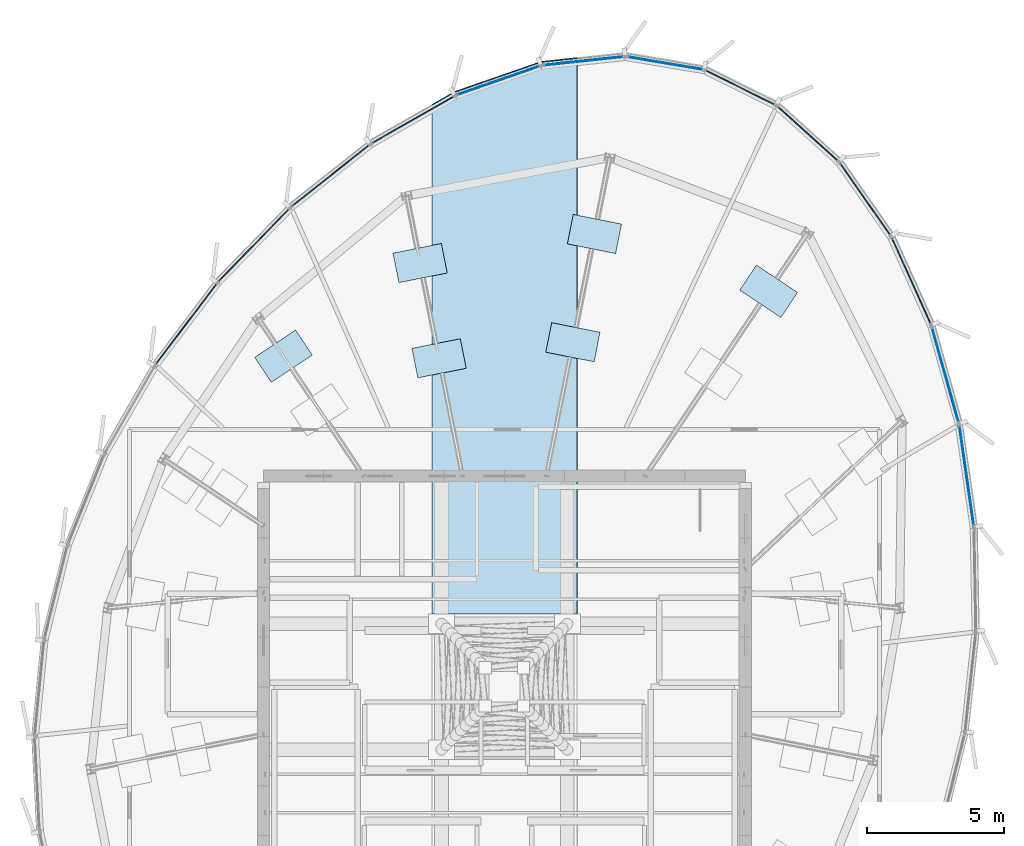
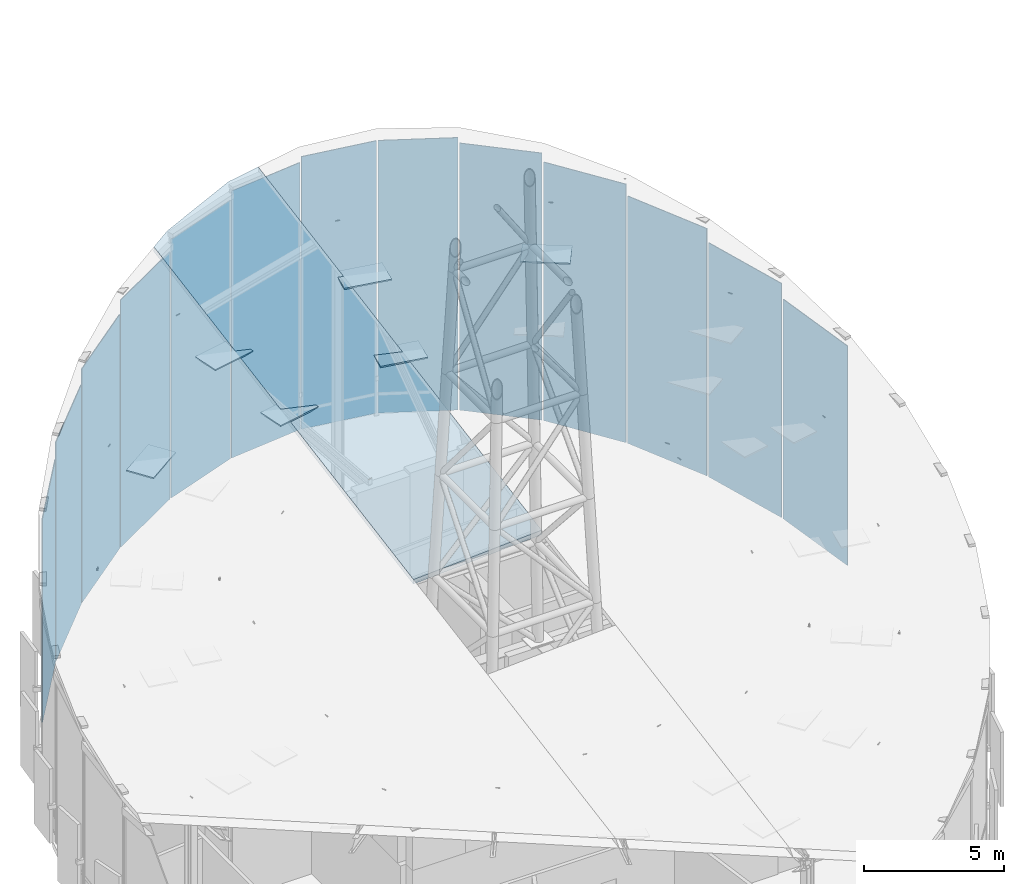
# One storey, part 25 of 36: 19 plates, 1 slab, 13 elements without a shape of their own.
"""IFC4 building model written with IfcOpenShell, lengths in metres."""

from ifc_helpers import new_model, si_unit, direction, frame, origin, origin_2d, place, context, subcontext, project, spatial, polyline, rectangle, outline, extrude, source, transform, mapped, material, layer, layer_set, type_object, element, aggregate, save


model = new_model("IFC4")

# Units and contexts
model_context = context("Model", 3, precision=1e-05, world=origin(), true_north=direction((0.0, 1.0)))
body_context = subcontext(model_context, "Body", "Model", "MODEL_VIEW")
ifc_project = project(units=[si_unit("LENGTHUNIT", "METRE"), si_unit("AREAUNIT", "SQUARE_METRE"), si_unit("VOLUMEUNIT", "CUBIC_METRE"), si_unit("PLANEANGLEUNIT", "RADIAN"), si_unit("MASSUNIT", "GRAM", prefix="KILO"), si_unit("THERMODYNAMICTEMPERATUREUNIT", "KELVIN")], contexts=[model_context])

# Site, building, storey
site_placement = place(None, origin())
site = spatial("IfcSite", under=ifc_project, at=site_placement, CompositionType="ELEMENT")
building_placement = place(site_placement, origin())
building = spatial("IfcBuilding", under=site, at=building_placement, Name="Kethvar Cultural Tower", CompositionType="ELEMENT")
storey_placement = place(building_placement, frame((0.0, 0.0, 324.300048828125)))
storey = spatial("IfcBuildingStorey", under=building, at=storey_placement, Name="L86", CompositionType="ELEMENT", Elevation=324.300048828125)

# Slab
ifc_material_1 = material(Name="Concrete C40/50", Category="concrete")
ifc_layer_1 = layer(ifc_material_1, 0.235107421875, Name="Concrete C40/50", Category="concrete")
ifc_layer_set_1 = layer_set([ifc_layer_1], Name="Concrete C40/50 (235 mm)")
slab_type = type_object("IfcSlabType", Name="SL-ROOF-SLOP", PredefinedType="ROOF", material=ifc_layer_set_1)
slab_placement = place(storey_placement, frame((44.970947265625, 49.513916015625, 11.765869140625), z_axis=(-0.056212978721, -0.173008788059, 0.983314832736), x_axis=(0.938707907526, 0.326326638132, 0.111078303885)))
element("IfcSlab", 1, at=slab_placement, inside=storey, type_object=slab_type, Name="Crown Sloped Glass-Clad Roof Sector N", PredefinedType="ROOF", context=body_context, shape_type="SweptSolid", body=[
    extrude(outline(polyline([(0.0, 0.0), (3.3711801384111393, -1.3183898417423734e-16), (4.661703126476483, -0.3029210100081867), (-2.3607398120124983, -19.68556929916982), (-7.369591896875688, -17.926673522458504), (-0.9379005581068145, -0.17455453036767618), (0.0, 0.0)])), origin(), (0.0, 0.0, -1.0), 0.235107421875),
])

# Plates
ifc_material_2 = material(Name="Insulated Laminated Skylight Glass", Category="glass")
ifc_layer_2 = layer(ifc_material_2, 0.06005859375, Name="Insulated Laminated Skylight Glass", Category="glass")
ifc_layer_set_2 = layer_set([ifc_layer_2], Name="Insulated Laminated Skylight Glass (60 mm)")
plate_type_1 = type_object("IfcPlateType", Name="PL-CROWN-GLAZ", PredefinedType="SHEET", material=ifc_layer_set_2)
shared_shape_1 = source(origin(), body_context, "Body", "SweptSolid", [
    extrude(rectangle(XDim=1.10009765625, YDim=1.800048828125, at=origin_2d()), origin(), (0.0, 0.0, 1.0), 0.06005859375),
])
for number, where, z_axis, x_axis, name in (
    (2, (56.451904296875, 42.2451171875, 11.09814453125), (0.0, 0.0, 1.0), (0.55557023302, 0.831469612303, 0.0), "Sloped Crown Glass Roof Cassette GLZ-03-OUT"),
    (3, (49.303466796875, 40.38525390625, 10.3623046875), (0.0, 0.0, 1.0), (0.195090322016, 0.980785280403, 0.0), "Sloped Crown Glass Roof Cassette GLZ-04-IN"),
    (4, (50.090087890625, 44.33984375, 11.10302734375), (0.0, 0.0, 1.0), (0.195090322016, 0.980785280403, 0.0), "Sloped Crown Glass Roof Cassette GLZ-04-OUT"),
    (5, (44.41357421875, 39.797607421875, 9.9794921875), (0.0, 0.0, 1.0), (-0.195090322016, 0.980785280403, 0.0), "Sloped Crown Glass Roof Cassette GLZ-05-IN"),
    (6, (43.721435546875, 43.276611328125, 10.552001953125), (0.0, 0.0, 1.0), (-0.195090322016, 0.980785280403, 0.0), "Sloped Crown Glass Roof Cassette GLZ-05-OUT"),
    (7, (38.732421875, 39.8740234375, 9.668212890625), (0.0, 0.0, 1.0), (-0.55557023302, 0.831469612303, 0.0), "Sloped Crown Glass Roof Cassette GLZ-06-OUT"),
):
    element("IfcPlate", number, at=place(storey_placement, frame(where, z_axis=z_axis, x_axis=x_axis)), inside=storey, type_object=plate_type_1, Name=name, PredefinedType="SHEET", context=body_context, shape_type="MappedRepresentation", body=[
        mapped(shared_shape_1, transform((0.0, 0.0, 0.0), scale=1.0)),
    ])

# Curtain wall, plate
ifc_material_3 = material(Name="Aluminium 6063-T6", Category="aluminium")
ifc_layer_3 = layer(ifc_material_3, 0.179931640625, Name="Aluminium 6063-T6", Category="aluminium")
ifc_layer_set_3 = layer_set([ifc_layer_3], Name="Aluminium 6063-T6 (180 mm)")
curtain_wall_type = type_object("IfcCurtainWallType", Name="CW-SYS-06-CROWN", PredefinedType="NOTDEFINED", material=ifc_layer_set_3)
curtain_wall_1_placement = place(storey_placement, origin())
curtain_wall_1 = element("IfcCurtainWall", 8, at=curtain_wall_1_placement, inside=storey, type_object=curtain_wall_type, Name="L86 Curtain Wall Run 01", PredefinedType="NOTDEFINED")
ifc_material_4 = material(Name="Insulated Low-E Solar Glass", Category="glass")
ifc_layer_4 = layer(ifc_material_4, 0.033935546875, Name="Insulated Low-E Solar Glass", Category="glass")
ifc_layer_set_4 = layer_set([ifc_layer_4], Name="Insulated Low-E Solar Glass (34 mm)")
plate_type_2 = type_object("IfcPlateType", Name="CW-SYS-06-CROWN-PNL", PredefinedType="CURTAIN_PANEL", material=ifc_layer_set_4)
shared_shape_2 = source(origin(), body_context, "Body", "SweptSolid", [
    extrude(rectangle(XDim=2.872802734375, YDim=0.033935546875, at=origin_2d()), origin(), (0.0, 0.0, 1.0), 11.91552734375),
])
plate_1_placement = place(storey_placement, frame((52.676513671875, 50.57763671875, 0.110107421875), z_axis=(0.0, 0.0, 1.0), x_axis=(-0.986001857797, 0.16673432886, 0.0)))
plate_1 = element("IfcPlate", 9, at=plate_1_placement, type_object=plate_type_2, Name="CW-L86-R01 Vision Glazing Panel 1", PredefinedType="CURTAIN_PANEL", context=body_context, shape_type="MappedRepresentation", body=[
    mapped(shared_shape_2, transform((0.0, 0.0, 0.0), scale=1.0)),
])
aggregate(curtain_wall_1, [plate_1])

curtain_wall_2_placement = place(storey_placement, origin())
curtain_wall_2 = element("IfcCurtainWall", 10, at=curtain_wall_2_placement, inside=storey, type_object=curtain_wall_type, Name="L86 Curtain Wall Run 02", PredefinedType="NOTDEFINED")
shared_shape_3 = source(origin(), body_context, "Body", "SweptSolid", [
    extrude(rectangle(XDim=3.0224609375, YDim=0.033935546875, at=origin_2d()), origin(), (0.0, 0.0, 1.0), 11.680419921875),
])
plate_2_placement = place(storey_placement, frame((49.697509765625, 50.659423828125, 0.10986328125), z_axis=(0.0, 0.0, 1.0), x_axis=(-0.99440451554, -0.105639289446, 0.0)))
plate_2 = element("IfcPlate", 11, at=plate_2_placement, type_object=plate_type_2, Name="CW-L86-R02 Vision Glazing Panel 1", PredefinedType="CURTAIN_PANEL", context=body_context, shape_type="MappedRepresentation", body=[
    mapped(shared_shape_3, transform((0.0, 0.0, 0.0), scale=1.0)),
])
aggregate(curtain_wall_2, [plate_2])

curtain_wall_3_placement = place(storey_placement, origin())
curtain_wall_3 = element("IfcCurtainWall", 12, at=curtain_wall_3_placement, inside=storey, type_object=curtain_wall_type, Name="L86 Curtain Wall Run 03", PredefinedType="NOTDEFINED")
shared_shape_4 = source(origin(), body_context, "Body", "SweptSolid", [
    extrude(rectangle(XDim=3.2568359375, YDim=0.033935546875, at=origin_2d()), origin(), (0.0, 0.0, 1.0), 11.305908203125),
])
plate_3_placement = place(storey_placement, frame((46.592529296875, 49.95068359375, 0.10986328125), z_axis=(0.0, 0.0, 1.0), x_axis=(-0.944536972025, -0.32840509813, 0.0)))
plate_3 = element("IfcPlate", 13, at=plate_3_placement, type_object=plate_type_2, Name="CW-L86-R03 Vision Glazing Panel 1", PredefinedType="CURTAIN_PANEL", context=body_context, shape_type="MappedRepresentation", body=[
    mapped(shared_shape_4, transform((0.0, 0.0, 0.0), scale=1.0)),
])
aggregate(curtain_wall_3, [plate_3])

curtain_wall_4_placement = place(storey_placement, origin())
curtain_wall_4 = element("IfcCurtainWall", 14, at=curtain_wall_4_placement, inside=storey, type_object=curtain_wall_type, Name="L86 Curtain Wall Run 04", PredefinedType="NOTDEFINED")
shared_shape_5 = source(origin(), body_context, "Body", "SweptSolid", [
    extrude(rectangle(XDim=3.490966796875, YDim=0.033935546875, at=origin_2d()), origin(), (0.0, 0.0, 1.0), 10.8154296875),
])
plate_4_placement = place(storey_placement, frame((43.473388671875, 48.521728515625, 0.110107421875), z_axis=(0.0, 0.0, 1.0), x_axis=(-0.868717975058, -0.495307056088, 0.0)))
plate_4 = element("IfcPlate", 15, at=plate_4_placement, type_object=plate_type_2, Name="CW-L86-R04 Vision Glazing Panel 1", PredefinedType="CURTAIN_PANEL", context=body_context, shape_type="MappedRepresentation", body=[
    mapped(shared_shape_5, transform((0.0, 0.0, 0.0), scale=1.0)),
])
aggregate(curtain_wall_4, [plate_4])

curtain_wall_5_placement = place(storey_placement, origin())
curtain_wall_5 = element("IfcCurtainWall", 16, at=curtain_wall_5_placement, inside=storey, type_object=curtain_wall_type, Name="L86 Curtain Wall Run 05", PredefinedType="NOTDEFINED")
shared_shape_6 = source(origin(), body_context, "Body", "SweptSolid", [
    extrude(rectangle(XDim=3.66162109375, YDim=0.033935546875, at=origin_2d()), origin(), (0.0, 0.0, 1.0), 10.237548828125),
])
plate_5_placement = place(storey_placement, frame((40.4580078125, 46.480224609375, 0.10986328125), z_axis=(0.0, 0.0, 1.0), x_axis=(-0.784668186733, -0.61991599167, 0.0)))
plate_5 = element("IfcPlate", 17, at=plate_5_placement, type_object=plate_type_2, Name="CW-L86-R05 Vision Glazing Panel 1", PredefinedType="CURTAIN_PANEL", context=body_context, shape_type="MappedRepresentation", body=[
    mapped(shared_shape_6, transform((0.0, 0.0, 0.0), scale=1.0)),
])
aggregate(curtain_wall_5, [plate_5])

curtain_wall_6_placement = place(storey_placement, origin())
curtain_wall_6 = element("IfcCurtainWall", 18, at=curtain_wall_6_placement, inside=storey, type_object=curtain_wall_type, Name="L86 Curtain Wall Run 06", PredefinedType="NOTDEFINED")
shared_shape_7 = source(origin(), body_context, "Body", "SweptSolid", [
    extrude(rectangle(XDim=3.737060546875, YDim=0.033935546875, at=origin_2d()), origin(), (0.0, 0.0, 1.0), 9.6015625),
])
plate_6_placement = place(storey_placement, frame((37.661865234375, 43.953125, 0.10986328125), z_axis=(0.0, 0.0, 1.0), x_axis=(-0.696827189294, -0.717239059352, 0.0)))
plate_6 = element("IfcPlate", 19, at=plate_6_placement, type_object=plate_type_2, Name="CW-L86-R06 Vision Glazing Panel 1", PredefinedType="CURTAIN_PANEL", context=body_context, shape_type="MappedRepresentation", body=[
    mapped(shared_shape_7, transform((0.0, 0.0, 0.0), scale=1.0)),
])
aggregate(curtain_wall_6, [plate_6])

curtain_wall_7_placement = place(storey_placement, origin())
curtain_wall_7 = element("IfcCurtainWall", 20, at=curtain_wall_7_placement, inside=storey, type_object=curtain_wall_type, Name="L86 Curtain Wall Run 07", PredefinedType="NOTDEFINED")
shared_shape_8 = source(origin(), body_context, "Body", "SweptSolid", [
    extrude(rectangle(XDim=3.71875, YDim=0.033935546875, at=origin_2d()), origin(), (0.0, 0.0, 1.0), 8.934814453125),
])
plate_7_placement = place(storey_placement, frame((35.188232421875, 41.069580078125, 0.10986328125), z_axis=(0.0, 0.0, 1.0), x_axis=(-0.602637094264, -0.798015371166, 0.0)))
plate_7 = element("IfcPlate", 21, at=plate_7_placement, type_object=plate_type_2, Name="CW-L86-R07 Vision Glazing Panel 1", PredefinedType="CURTAIN_PANEL", context=body_context, shape_type="MappedRepresentation", body=[
    mapped(shared_shape_8, transform((0.0, 0.0, 0.0), scale=1.0)),
])
aggregate(curtain_wall_7, [plate_7])

curtain_wall_8_placement = place(storey_placement, origin())
curtain_wall_8 = element("IfcCurtainWall", 22, at=curtain_wall_8_placement, inside=storey, type_object=curtain_wall_type, Name="L86 Curtain Wall Run 31", PredefinedType="NOTDEFINED")
shared_shape_9 = source(origin(), body_context, "Body", "SweptSolid", [
    extrude(rectangle(XDim=3.73681640625, YDim=0.033935546875, at=origin_2d()), origin(), (0.0, 0.0, 1.0), 9.6015625),
])
plate_8_placement = place(storey_placement, frame((63.6875, 35.496826171875, 0.10986328125), z_axis=(0.0, 0.0, 1.0), x_axis=(-0.142179772829, 0.989840851955, 0.0)))
plate_8 = element("IfcPlate", 23, at=plate_8_placement, type_object=plate_type_2, Name="CW-L86-R31 Vision Glazing Panel 1", PredefinedType="CURTAIN_PANEL", context=body_context, shape_type="MappedRepresentation", body=[
    mapped(shared_shape_9, transform((0.0, 0.0, 0.0), scale=1.0)),
])
aggregate(curtain_wall_8, [plate_8])

curtain_wall_9_placement = place(storey_placement, origin())
curtain_wall_9 = element("IfcCurtainWall", 24, at=curtain_wall_9_placement, inside=storey, type_object=curtain_wall_type, Name="L86 Curtain Wall Run 32", PredefinedType="NOTDEFINED")
shared_shape_10 = source(origin(), body_context, "Body", "SweptSolid", [
    extrude(rectangle(XDim=3.661376953125, YDim=0.033935546875, at=origin_2d()), origin(), (0.0, 0.0, 1.0), 10.237548828125),
])
plate_9_placement = place(storey_placement, frame((62.91064453125, 39.184814453125, 0.10986328125), z_axis=(0.0, 0.0, 1.0), x_axis=(-0.270432420449, 0.962738960451, 0.0)))
plate_9 = element("IfcPlate", 25, at=plate_9_placement, type_object=plate_type_2, Name="CW-L86-R32 Vision Glazing Panel 1", PredefinedType="CURTAIN_PANEL", context=body_context, shape_type="MappedRepresentation", body=[
    mapped(shared_shape_10, transform((0.0, 0.0, 0.0), scale=1.0)),
])
aggregate(curtain_wall_9, [plate_9])

curtain_wall_10_placement = place(storey_placement, origin())
curtain_wall_10 = element("IfcCurtainWall", 26, at=curtain_wall_10_placement, inside=storey, type_object=curtain_wall_type, Name="L86 Curtain Wall Run 33", PredefinedType="NOTDEFINED")
shared_shape_11 = source(origin(), body_context, "Body", "SweptSolid", [
    extrude(rectangle(XDim=3.4912109375, YDim=0.033935546875, at=origin_2d()), origin(), (0.0, 0.0, 1.0), 10.8154296875),
])
plate_10_placement = place(storey_placement, frame((61.67138671875, 42.60888671875, 0.110107421875), z_axis=(0.0, 0.0, 1.0), x_axis=(-0.41165751642, 0.911338624867, 0.0)))
plate_10 = element("IfcPlate", 27, at=plate_10_placement, type_object=plate_type_2, Name="CW-L86-R33 Vision Glazing Panel 1", PredefinedType="CURTAIN_PANEL", context=body_context, shape_type="MappedRepresentation", body=[
    mapped(shared_shape_11, transform((0.0, 0.0, 0.0), scale=1.0)),
])
aggregate(curtain_wall_10, [plate_10])

curtain_wall_11_placement = place(storey_placement, origin())
curtain_wall_11 = element("IfcCurtainWall", 28, at=curtain_wall_11_placement, inside=storey, type_object=curtain_wall_type, Name="L86 Curtain Wall Run 34", PredefinedType="NOTDEFINED")
shared_shape_12 = source(origin(), body_context, "Body", "SweptSolid", [
    extrude(rectangle(XDim=3.256591796875, YDim=0.033935546875, at=origin_2d()), origin(), (0.0, 0.0, 1.0), 11.305908203125),
])
plate_11_placement = place(storey_placement, frame((59.987548828125, 45.598388671875, 0.10986328125), z_axis=(0.0, 0.0, 1.0), x_axis=(-0.571143442153, 0.820850271661, 0.0)))
plate_11 = element("IfcPlate", 29, at=plate_11_placement, type_object=plate_type_2, Name="CW-L86-R34 Vision Glazing Panel 1", PredefinedType="CURTAIN_PANEL", context=body_context, shape_type="MappedRepresentation", body=[
    mapped(shared_shape_12, transform((0.0, 0.0, 0.0), scale=1.0)),
])
aggregate(curtain_wall_11, [plate_11])

curtain_wall_12_placement = place(storey_placement, origin())
curtain_wall_12 = element("IfcCurtainWall", 30, at=curtain_wall_12_placement, inside=storey, type_object=curtain_wall_type, Name="L86 Curtain Wall Run 35", PredefinedType="NOTDEFINED")
shared_shape_13 = source(origin(), body_context, "Body", "SweptSolid", [
    extrude(rectangle(XDim=3.022705078125, YDim=0.033935546875, at=origin_2d()), origin(), (0.0, 0.0, 1.0), 11.680419921875),
])
plate_12_placement = place(storey_placement, frame((57.89208984375, 47.996826171875, 0.10986328125), z_axis=(0.0, 0.0, 1.0), x_axis=(-0.742373549478, 0.669986203616, 0.0)))
plate_12 = element("IfcPlate", 31, at=plate_12_placement, type_object=plate_type_2, Name="CW-L86-R35 Vision Glazing Panel 1", PredefinedType="CURTAIN_PANEL", context=body_context, shape_type="MappedRepresentation", body=[
    mapped(shared_shape_13, transform((0.0, 0.0, 0.0), scale=1.0)),
])
aggregate(curtain_wall_12, [plate_12])

curtain_wall_13_placement = place(storey_placement, origin())
curtain_wall_13 = element("IfcCurtainWall", 32, at=curtain_wall_13_placement, inside=storey, type_object=curtain_wall_type, Name="L86 Curtain Wall Run 36", PredefinedType="NOTDEFINED")
shared_shape_14 = source(origin(), body_context, "Body", "SweptSolid", [
    extrude(rectangle(XDim=2.87255859375, YDim=0.033935546875, at=origin_2d()), origin(), (0.0, 0.0, 1.0), 11.91552734375),
])
plate_13_placement = place(storey_placement, frame((55.43408203125, 49.681640625, 0.110107421875), z_axis=(0.0, 0.0, 1.0), x_axis=(-0.895696238998, 0.444666445153, 0.0)))
plate_13 = element("IfcPlate", 33, at=plate_13_placement, type_object=plate_type_2, Name="CW-L86-R36 Vision Glazing Panel 1", PredefinedType="CURTAIN_PANEL", context=body_context, shape_type="MappedRepresentation", body=[
    mapped(shared_shape_14, transform((0.0, 0.0, 0.0), scale=1.0)),
])
aggregate(curtain_wall_13, [plate_13])

save(model, "model.ifc")
